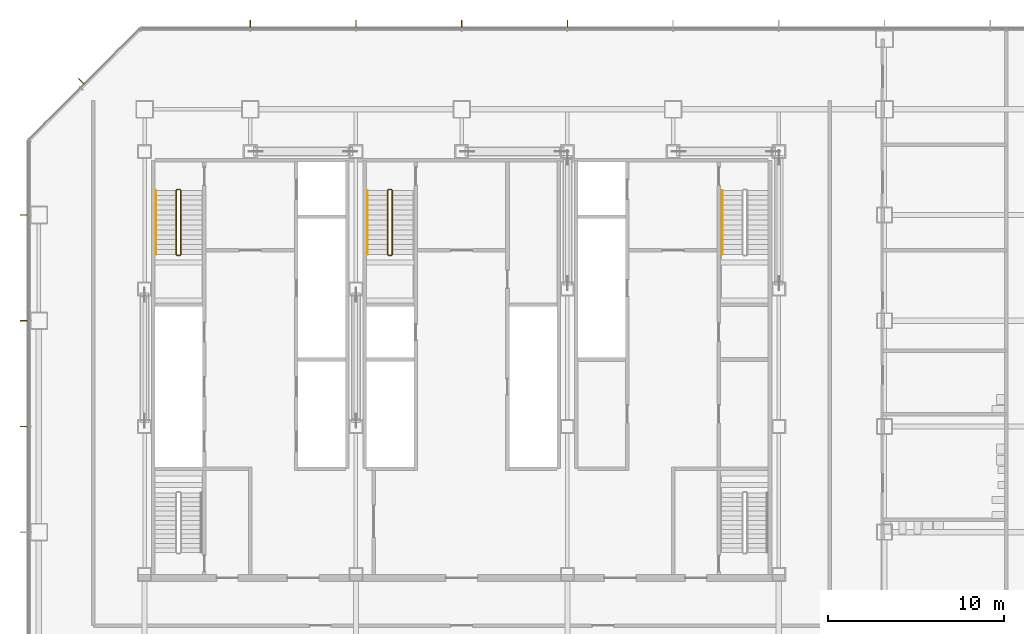
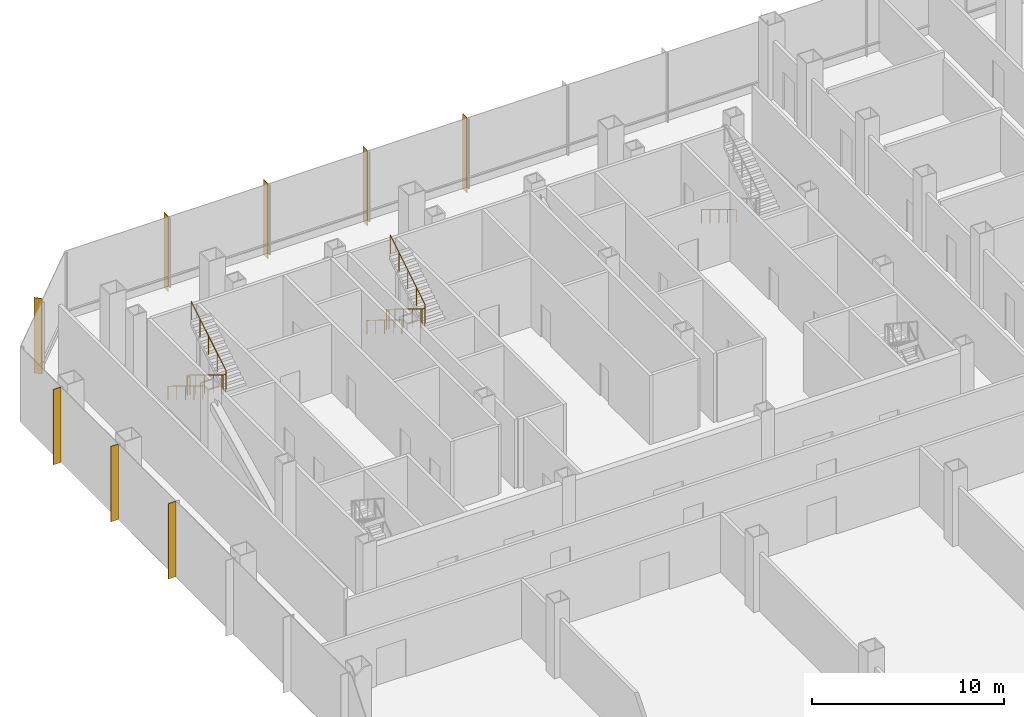
# One storey, part 29 of 33: 8 shading devices, 5 railings.
"""IFC4 building model written with IfcOpenShell, lengths in metres."""

from ifc_helpers import new_model, si_unit, direction, frame, origin, origin_2d, place, context, subcontext, project, spatial, rectangle, circle, extrude, material, material_profile, profile_set, type_object, element, save


model = new_model("IFC4")

# Units and contexts
model_context = context("Model", 3, precision=1e-05, world=origin(), true_north=direction((0.0, 1.0)))
body_context = subcontext(model_context, "Body", "Model", "MODEL_VIEW")
ifc_project = project(units=[si_unit("LENGTHUNIT", "METRE"), si_unit("AREAUNIT", "SQUARE_METRE"), si_unit("VOLUMEUNIT", "CUBIC_METRE"), si_unit("PLANEANGLEUNIT", "RADIAN"), si_unit("MASSUNIT", "GRAM", prefix="KILO")], contexts=[model_context])

# Site, building, storey
site_placement = place(None, origin())
site = spatial("IfcSite", under=ifc_project, at=site_placement, CompositionType="ELEMENT")
building_placement = place(site_placement, origin())
building = spatial("IfcBuilding", under=site, at=building_placement, Name="Sorahane Residences", CompositionType="ELEMENT")
storey_placement = place(building_placement, frame((0.0, 0.0, 30.0)))
storey = spatial("IfcBuildingStorey", under=building, at=storey_placement, Name="L04", CompositionType="ELEMENT", Elevation=30.0)

# Shading devices
ifc_material_1 = material(Name="Terracotta anodised aluminium", Category="masonry")
ifc_material_profile = material_profile(ifc_material_1, rectangle(XDim=0.449951171875, YDim=0.0400390625, at=origin_2d()), Name="Podium vertical fin terracotta anodised aluminium 450x40")
ifc_profile_set = profile_set([ifc_material_profile], Name="Terracotta anodised aluminium")
shading_device_type = type_object("IfcShadingDeviceType", Name="Podium vertical fin terracotta anodised aluminium 450x40", PredefinedType="USERDEFINED", material=ifc_profile_set)
for number, where, z_axis, x_axis, name in (
    (1, (30.0, 52.844970703125, -0.39990234375), (0.0, 0.0, 1.0), (0.0, 1.0, 0.0), "Podium vertical fin L04 N1.6"),
    (2, (24.0, 52.844970703125, -0.39990234375), (0.0, 0.0, 1.0), (0.0, 1.0, 0.0), "Podium vertical fin L04 N1.7"),
    (3, (18.0, 52.844970703125, -0.39990234375), (0.0, 0.0, 1.0), (0.0, 1.0, 0.0), "Podium vertical fin L04 N1.8"),
    (4, (12.0, 52.844970703125, -0.39990234375), (0.0, 0.0, 1.0), (0.0, 1.0, 0.0), "Podium vertical fin L04 N1.9"),
    (5, (2.402587890625, 49.597412109375, -0.39990234375), (0.0, 0.0, 1.0), (-0.707106781187, 0.707106781187, 0.0), "Podium vertical fin L04 NW1.1"),
    (6, (-0.844970703125, 42.0, -0.39990234375), (0.0, 0.0, 1.0), (-1.0, 0.0, 0.0), "Podium vertical fin L04 W1.1"),
    (7, (-0.844970703125, 36.0, -0.39990234375), (0.0, 0.0, 1.0), (-1.0, 0.0, 0.0), "Podium vertical fin L04 W1.2"),
    (8, (-0.844970703125, 30.0, -0.39990234375), (0.0, 0.0, 1.0), (-1.0, 0.0, 0.0), "Podium vertical fin L04 W1.3"),
):
    element("IfcShadingDevice", number, at=place(storey_placement, frame(where, z_axis=z_axis, x_axis=x_axis)), inside=storey, type_object=shading_device_type, Name=name, ObjectType="Vertical fin", PredefinedType="USERDEFINED", context=body_context, shape_type="SweptSolid", body=[
        extrude(rectangle(XDim=0.449951171875, YDim=0.0400390625, at=origin_2d()), origin(), (0.0, 0.0, 1.0), 4.7998046875),
    ])

# Railings
ifc_material_2 = material(Name="Steel Q355B", Category="steel")
railing_type_1 = type_object("IfcRailingType", Name="Stair guard 1200 Steel Q355B", PredefinedType="GUARDRAIL", material=ifc_material_2)
railing_1_placement = place(storey_placement, frame((8.0, 43.449951171875, 0.0)))
element("IfcRailing", 9, at=railing_1_placement, inside=storey, type_object=railing_type_1, Name="L04 S1 stair guard 1", PredefinedType="GUARDRAIL", context=body_context, shape_type="SweptSolid", body=[
    extrude(circle(Radius=0.02392578125, at=origin_2d()), frame((0.0, 0.0, 1.17578125), z_axis=(-1.0, 0.0, 0.0), x_axis=(0.0, -1.0, 0.0)), (0.0, 0.0, 1.0), 0.14990234375),
    extrude(circle(Radius=0.02392578125, at=origin_2d()), frame((-0.14990234375, 0.0, 1.17578125), z_axis=(-0.269911200495, -0.269911200495, 0.924281281696), x_axis=(0.707106781187, -0.707106781187, 0.0)), (0.0, 0.0, 1.0), 0.185546875),
    extrude(circle(Radius=0.02392578125, at=origin_2d()), frame((-0.199951171875, -0.050048828125, 1.34716796875), z_axis=(0.0, -0.852850264322, 0.5221555579), x_axis=(1.0, 0.0, 0.0)), (0.0, 0.0, 1.0), 4.267822265625),
    extrude(circle(Radius=0.02392578125, at=origin_2d()), frame((-0.199951171875, -3.68994140625, 3.57568359375), z_axis=(0.707106781187, -0.707106781187, 0.0), x_axis=(0.707106781187, 0.707106781187, 0.0)), (0.0, 0.0, 1.0), 0.07080078125),
    extrude(circle(Radius=0.02392578125, at=origin_2d()), frame((-0.14990234375, -3.739990234375, 3.57568359375), z_axis=(1.0, 0.0, 0.0), x_axis=(0.0, 1.0, 0.0)), (0.0, 0.0, 1.0), 0.14990234375),
    extrude(circle(Radius=0.02392578125, at=origin_2d()), frame((0.0, -3.739990234375, 3.57568359375), z_axis=(0.269583098496, 0.269583098496, 0.924472771914), x_axis=(-0.707106781187, 0.707106781187, 0.0)), (0.0, 0.0, 1.0), 0.185546875),
    extrude(circle(Radius=0.02392578125, at=origin_2d()), frame((0.050048828125, -3.68994140625, 3.74755859375), z_axis=(0.0, 0.852850264322, 0.5221555579), x_axis=(-1.0, 0.0, 0.0)), (0.0, 0.0, 1.0), 4.267822265625),
    extrude(circle(Radius=0.02099609375, at=origin_2d()), origin(), (0.0, 0.0, 1.0), 1.15185546875),
    extrude(circle(Radius=0.02099609375, at=origin_2d()), frame((-0.14990234375, 0.0, 0.0)), (0.0, 0.0, 1.0), 1.15185546875),
    extrude(circle(Radius=0.02099609375, at=origin_2d()), frame((-0.199951171875, -0.050048828125, 0.17138671875)), (0.0, 0.0, 1.0), 1.15185546875),
    extrude(circle(Radius=0.02099609375, at=origin_2d()), frame((-0.199951171875, -0.9599609375, 0.728515625)), (0.0, 0.0, 1.0), 1.15185546875),
    extrude(circle(Radius=0.02099609375, at=origin_2d()), frame((-0.199951171875, -1.8701171875, 1.28564453125)), (0.0, 0.0, 1.0), 1.15185546875),
    extrude(circle(Radius=0.02099609375, at=origin_2d()), frame((-0.199951171875, -2.780029296875, 1.8427734375)), (0.0, 0.0, 1.0), 1.15185546875),
    extrude(circle(Radius=0.02099609375, at=origin_2d()), frame((-0.199951171875, -3.68994140625, 2.39990234375)), (0.0, 0.0, 1.0), 1.15185546875),
    extrude(circle(Radius=0.02099609375, at=origin_2d()), frame((-0.14990234375, -3.739990234375, 2.39990234375)), (0.0, 0.0, 1.0), 1.15185546875),
    extrude(circle(Radius=0.02099609375, at=origin_2d()), frame((0.0, -3.739990234375, 2.39990234375)), (0.0, 0.0, 1.0), 1.15185546875),
    extrude(circle(Radius=0.02099609375, at=origin_2d()), frame((0.050048828125, -3.68994140625, 2.571533203125)), (0.0, 0.0, 1.0), 1.15185546875),
    extrude(circle(Radius=0.02099609375, at=origin_2d()), frame((0.050048828125, -2.780029296875, 3.128662109375)), (0.0, 0.0, 1.0), 1.15185546875),
    extrude(circle(Radius=0.02099609375, at=origin_2d()), frame((0.050048828125, -1.8701171875, 3.685791015625)), (0.0, 0.0, 1.0), 1.15185546875),
    extrude(circle(Radius=0.02099609375, at=origin_2d()), frame((0.050048828125, -0.9599609375, 4.242919921875)), (0.0, 0.0, 1.0), 1.15185546875),
    extrude(circle(Radius=0.02099609375, at=origin_2d()), frame((0.050048828125, -0.050048828125, 4.800048828125)), (0.0, 0.0, 1.0), 1.15185546875),
])
railing_2_placement = place(storey_placement, frame((20.0, 43.449951171875, 0.0)))
element("IfcRailing", 10, at=railing_2_placement, inside=storey, type_object=railing_type_1, Name="L04 S3 stair guard 1", PredefinedType="GUARDRAIL", context=body_context, shape_type="SweptSolid", body=[
    extrude(circle(Radius=0.02392578125, at=origin_2d()), frame((0.0, 0.0, 1.17578125), z_axis=(-1.0, 0.0, 0.0), x_axis=(0.0, -1.0, 0.0)), (0.0, 0.0, 1.0), 0.14990234375),
    extrude(circle(Radius=0.02392578125, at=origin_2d()), frame((-0.14990234375, 0.0, 1.17578125), z_axis=(-0.269911200495, -0.269911200495, 0.924281281696), x_axis=(0.707106781187, -0.707106781187, 0.0)), (0.0, 0.0, 1.0), 0.185546875),
    extrude(circle(Radius=0.02392578125, at=origin_2d()), frame((-0.199951171875, -0.050048828125, 1.34716796875), z_axis=(0.0, -0.852850264322, 0.5221555579), x_axis=(1.0, 0.0, 0.0)), (0.0, 0.0, 1.0), 4.267822265625),
    extrude(circle(Radius=0.02392578125, at=origin_2d()), frame((-0.199951171875, -3.68994140625, 3.57568359375), z_axis=(0.707106781187, -0.707106781187, 0.0), x_axis=(0.707106781187, 0.707106781187, 0.0)), (0.0, 0.0, 1.0), 0.07080078125),
    extrude(circle(Radius=0.02392578125, at=origin_2d()), frame((-0.14990234375, -3.739990234375, 3.57568359375), z_axis=(1.0, 0.0, 0.0), x_axis=(0.0, 1.0, 0.0)), (0.0, 0.0, 1.0), 0.14990234375),
    extrude(circle(Radius=0.02392578125, at=origin_2d()), frame((0.0, -3.739990234375, 3.57568359375), z_axis=(0.269583098496, 0.269583098496, 0.924472771914), x_axis=(-0.707106781187, 0.707106781187, 0.0)), (0.0, 0.0, 1.0), 0.185546875),
    extrude(circle(Radius=0.02392578125, at=origin_2d()), frame((0.050048828125, -3.68994140625, 3.74755859375), z_axis=(0.0, 0.852850264322, 0.5221555579), x_axis=(-1.0, 0.0, 0.0)), (0.0, 0.0, 1.0), 4.267822265625),
    extrude(circle(Radius=0.02099609375, at=origin_2d()), origin(), (0.0, 0.0, 1.0), 1.15185546875),
    extrude(circle(Radius=0.02099609375, at=origin_2d()), frame((-0.14990234375, 0.0, 0.0)), (0.0, 0.0, 1.0), 1.15185546875),
    extrude(circle(Radius=0.02099609375, at=origin_2d()), frame((-0.199951171875, -0.050048828125, 0.17138671875)), (0.0, 0.0, 1.0), 1.15185546875),
    extrude(circle(Radius=0.02099609375, at=origin_2d()), frame((-0.199951171875, -0.9599609375, 0.728515625)), (0.0, 0.0, 1.0), 1.15185546875),
    extrude(circle(Radius=0.02099609375, at=origin_2d()), frame((-0.199951171875, -1.8701171875, 1.28564453125)), (0.0, 0.0, 1.0), 1.15185546875),
    extrude(circle(Radius=0.02099609375, at=origin_2d()), frame((-0.199951171875, -2.780029296875, 1.8427734375)), (0.0, 0.0, 1.0), 1.15185546875),
    extrude(circle(Radius=0.02099609375, at=origin_2d()), frame((-0.199951171875, -3.68994140625, 2.39990234375)), (0.0, 0.0, 1.0), 1.15185546875),
    extrude(circle(Radius=0.02099609375, at=origin_2d()), frame((-0.14990234375, -3.739990234375, 2.39990234375)), (0.0, 0.0, 1.0), 1.15185546875),
    extrude(circle(Radius=0.02099609375, at=origin_2d()), frame((0.0, -3.739990234375, 2.39990234375)), (0.0, 0.0, 1.0), 1.15185546875),
    extrude(circle(Radius=0.02099609375, at=origin_2d()), frame((0.050048828125, -3.68994140625, 2.571533203125)), (0.0, 0.0, 1.0), 1.15185546875),
    extrude(circle(Radius=0.02099609375, at=origin_2d()), frame((0.050048828125, -2.780029296875, 3.128662109375)), (0.0, 0.0, 1.0), 1.15185546875),
    extrude(circle(Radius=0.02099609375, at=origin_2d()), frame((0.050048828125, -1.8701171875, 3.685791015625)), (0.0, 0.0, 1.0), 1.15185546875),
    extrude(circle(Radius=0.02099609375, at=origin_2d()), frame((0.050048828125, -0.9599609375, 4.242919921875)), (0.0, 0.0, 1.0), 1.15185546875),
    extrude(circle(Radius=0.02099609375, at=origin_2d()), frame((0.050048828125, -0.050048828125, 4.800048828125)), (0.0, 0.0, 1.0), 1.15185546875),
])
ifc_material_3 = material(Name="Steel Q355B", Category="steel")
railing_type_2 = type_object("IfcRailingType", Name="Stair handrail 900 Steel Q355B", PredefinedType="HANDRAIL", material=ifc_material_3)
for number, where, name in (
    (11, (6.64990234375, 43.39990234375, 0.17138671875), "L04 S1 stair handrail 1"),
    (12, (38.800048828125, 43.39990234375, 0.17138671875), "L04 S2 stair handrail 1"),
    (13, (18.64990234375, 43.39990234375, 0.17138671875), "L04 S3 stair handrail 1"),
):
    element("IfcRailing", number, at=place(storey_placement, frame(where)), inside=storey, type_object=railing_type_2, Name=name, PredefinedType="HANDRAIL", context=body_context, shape_type="SweptSolid", body=[
        extrude(circle(Radius=0.02392578125, at=origin_2d()), frame((0.0, 0.0, 0.8759765625), z_axis=(0.0, -0.852850264322, 0.5221555579), x_axis=(1.0, 0.0, 0.0)), (0.0, 0.0, 1.0), 4.267822265625),
        extrude(circle(Radius=0.02099609375, at=origin_2d()), origin(), (0.0, 0.0, 1.0), 0.851806640625),
        extrude(circle(Radius=0.02099609375, at=origin_2d()), frame((0.0, -0.909912109375, 0.55712890625)), (0.0, 0.0, 1.0), 0.851806640625),
        extrude(circle(Radius=0.02099609375, at=origin_2d()), frame((0.0, -1.81982421875, 1.1142578125)), (0.0, 0.0, 1.0), 0.851806640625),
        extrude(circle(Radius=0.02099609375, at=origin_2d()), frame((0.0, -2.72998046875, 1.67138671875)), (0.0, 0.0, 1.0), 0.851806640625),
        extrude(circle(Radius=0.02099609375, at=origin_2d()), frame((0.0, -3.639892578125, 2.228515625)), (0.0, 0.0, 1.0), 0.851806640625),
    ])

save(model, "model.ifc")
